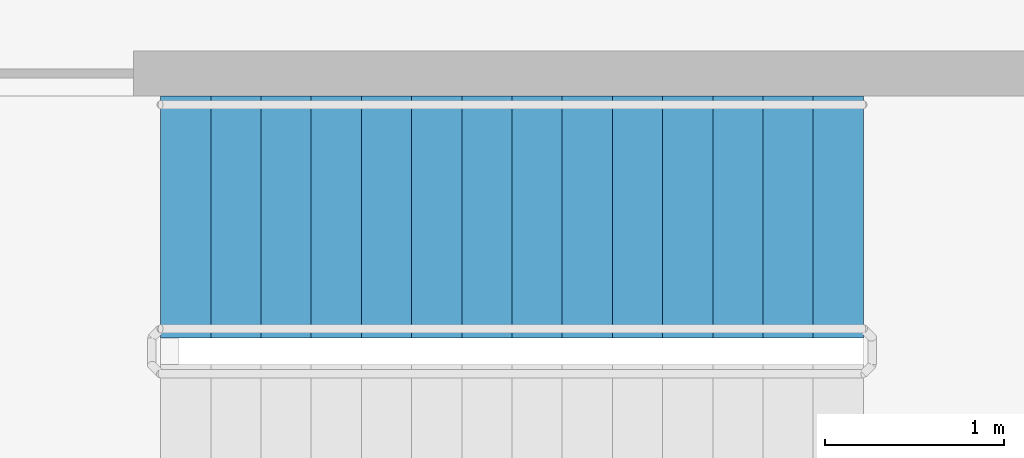
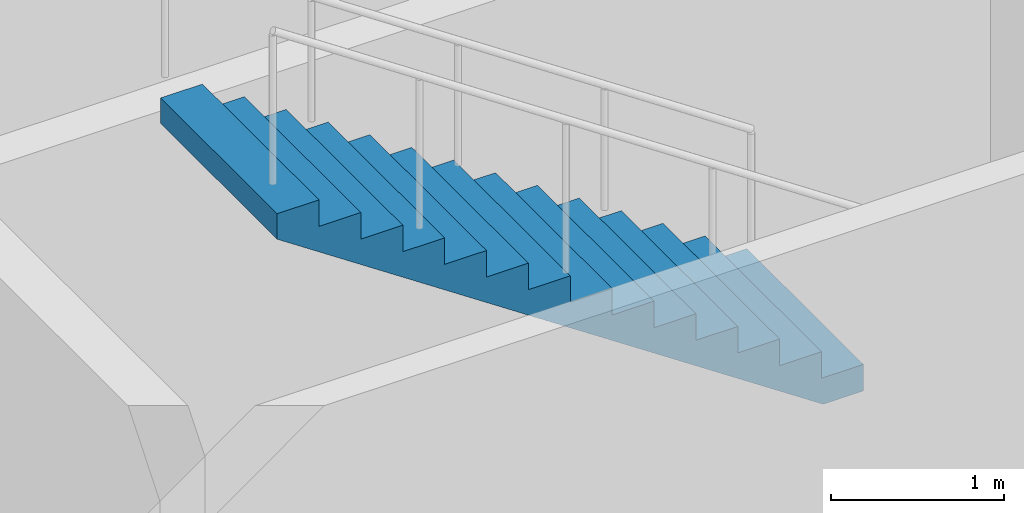
# One storey, part 9 of 19: 1 stair flight, 1 element without a shape of its own.
"""IFC4 building model written with IfcOpenShell, lengths in metres."""

import ifcopenshell
import ifcopenshell.guid

model = None  # the IFC model being written
_history = None  # IfcOwnerHistory: only IFC2X3 demands one
_inside = {}  # id of a spatial element -> (the spatial element, [elements in it])
_under = {}  # id of a project, library or spatial element -> (it, [spatial elements below it])
_declared = {}  # id of a project -> (the project, [libraries it declares])
_typed = {}  # id of a type object -> (the type object, [elements of that type])
_made_of = {}  # id of a material, layer set ... -> (it, [elements and type objects made of it])


def new_model(schema):
    """Start an empty IFC model of exactly this schema.

    Asked for "IFC4X3", IfcOpenShell would pick the latest addendum, in which some entities
    have other attributes; the version numbers below select the first issue.
    IFC2X3 requires an IfcOwnerHistory on every rooted entity: one is made here for all.
    """
    global model, _history
    if schema == "IFC4X3":
        model = ifcopenshell.file(schema_version=(4, 3, 0, 0))
    else:
        model = ifcopenshell.file(schema=schema)
    _inside.clear()
    _under.clear()
    _declared.clear()
    _typed.clear()
    _made_of.clear()
    _history = None
    if model.schema == "IFC2X3":
        org = make("IfcOrganization", Name="unknown")
        user = make(
            "IfcPersonAndOrganization",
            ThePerson=make("IfcPerson", FamilyName="unknown"),
            TheOrganization=org,
        )
        app = make(
            "IfcApplication",
            ApplicationDeveloper=org,
            Version="unknown",
            ApplicationFullName="unknown",
            ApplicationIdentifier="unknown",
        )
        _history = make(
            "IfcOwnerHistory",
            OwningUser=user,
            OwningApplication=app,
            ChangeAction="ADDED",
            CreationDate=0,
        )
    return model


def make(cls, **values):
    """One entity of the class cls with the attributes given. An attribute that is None is left unset."""
    return model.create_entity(
        cls, **{name: value for name, value in values.items() if value is not None}
    )


def rooted(cls, **values):
    """An entity with a GlobalId (a new one), such as an element, a storey or a relation."""
    return make(cls, GlobalId=ifcopenshell.guid.new(), OwnerHistory=_history, **values)


def si_unit(unit_type, name, prefix=None):
    """IfcSIUnit, for example si_unit("LENGTHUNIT", "METRE", prefix="MILLI")."""
    return make("IfcSIUnit", UnitType=unit_type, Prefix=prefix, Name=name)


def assignment(units):
    """IfcUnitAssignment: the units of a project."""
    return None if units is None else make("IfcUnitAssignment", Units=units)


def point(xyz):
    """IfcCartesianPoint."""
    return None if xyz is None else make("IfcCartesianPoint", Coordinates=xyz)


def direction(xyz):
    """IfcDirection."""
    return None if xyz is None else make("IfcDirection", DirectionRatios=xyz)


def frame(location, z_axis=None, x_axis=None):
    """IfcAxis2Placement3D, a coordinate frame: its origin and axes. An axis left out is left unset."""
    return make(
        "IfcAxis2Placement3D",
        Location=point(location),
        Axis=direction(z_axis),
        RefDirection=direction(x_axis),
    )


def origin():
    """The frame at (0, 0, 0) with its axes left unset."""
    return frame((0.0, 0.0, 0.0))


def place(relative_to, where):
    """IfcLocalPlacement: puts the frame where relative to a parent placement (None: the world)."""
    return make(
        "IfcLocalPlacement", PlacementRelTo=relative_to, RelativePlacement=where
    )


def context(
    kind, dimensions, precision=None, world=None, true_north=None, identifier=None
):
    """IfcGeometricRepresentationContext, for example the 3D "Model" context."""
    return make(
        "IfcGeometricRepresentationContext",
        ContextIdentifier=identifier,
        ContextType=kind,
        CoordinateSpaceDimension=dimensions,
        Precision=precision,
        WorldCoordinateSystem=world,
        TrueNorth=true_north,
    )


def subcontext(parent, identifier, kind, view, scale=None):
    """IfcGeometricRepresentationSubContext, for example "Body" below "Model"."""
    return make(
        "IfcGeometricRepresentationSubContext",
        ContextIdentifier=identifier,
        ContextType=kind,
        ParentContext=parent,
        TargetScale=scale,
        TargetView=view,
    )


def project(units=None, contexts=None):
    """IfcProject with its units and contexts."""
    return rooted(
        "IfcProject",
        Name="project",
        RepresentationContexts=contexts,
        UnitsInContext=assignment(units),
    )


def spatial(cls, under=None, at=None, **own):
    """A site, building, storey or space (cls), placed at a placement, below another one or the project."""
    s = rooted(cls, ObjectPlacement=at, **own)
    if under is not None:
        _under.setdefault(under.id(), (under, []))[1].append(s)
    return s


def polyline(points):
    """IfcPolyline through the points."""
    return make("IfcPolyline", Points=[point(p) for p in points])


def outline(outer, holes=None, kind="AREA"):
    """IfcArbitraryClosedProfileDef: a profile drawn as a closed curve; with holes, ...WithVoids."""
    if holes is None:
        return make("IfcArbitraryClosedProfileDef", ProfileType=kind, OuterCurve=outer)
    return make(
        "IfcArbitraryProfileDefWithVoids",
        ProfileType=kind,
        OuterCurve=outer,
        InnerCurves=holes,
    )


def extrude(swept, where, along, depth):
    """IfcExtrudedAreaSolid: the profile swept, set in the frame where, extruded along a direction by depth."""
    return make(
        "IfcExtrudedAreaSolid",
        SweptArea=swept,
        Position=where,
        ExtrudedDirection=direction(along),
        Depth=depth,
    )


def shape(context_of_items, identifier, shape_type, items):
    """IfcShapeRepresentation: the items that make up one representation, for example the "Body"."""
    return make(
        "IfcShapeRepresentation",
        ContextOfItems=context_of_items,
        RepresentationIdentifier=identifier,
        RepresentationType=shape_type,
        Items=items,
    )


def material(Name=None, Category=None):
    """IfcMaterial."""
    return make("IfcMaterial", Name=Name, Category=Category)


def made_of(thing, what):
    """Note that an element or type object is made of a material, layer set ...; save() writes the relation."""
    if what is not None:
        _made_of.setdefault(what.id(), (what, []))[1].append(thing)
    return thing


def type_object(cls, material=None, **own):
    """A type object (cls), such as IfcWallType, which elements share."""
    return made_of(rooted(cls, **own), material)


def element(
    cls,
    number,
    at=None,
    inside=None,
    cuts=None,
    type_object=None,
    material=None,
    context=None,
    identifier="Body",
    shape_type=None,
    held_by="IfcProductDefinitionShape",
    body=None,
    shapes=None,
    **own,
):
    """One element of the class cls, such as IfcWall. Its Tag is "e" and its number.

    at: its placement. inside: the storey or other place that contains it. cuts: it is an
    opening in that element (IfcRelVoidsElement). A single representation is given by context,
    identifier, shape_type and body (its items); several are given by shapes. held_by: the class
    of the entity that holds the representations. save() writes the other relations.
    """
    e = rooted(cls, Tag="e%d" % number, ObjectPlacement=at, **own)
    if body is not None:
        shapes = [shape(context, identifier, shape_type, body)]
    if shapes is not None:
        e.Representation = make(held_by, Representations=shapes)
    if inside is not None:
        _inside.setdefault(inside.id(), (inside, []))[1].append(e)
    if cuts is not None:
        rooted(
            "IfcRelVoidsElement", RelatingBuildingElement=cuts, RelatedOpeningElement=e
        )
    if type_object is not None:
        _typed.setdefault(type_object.id(), (type_object, []))[1].append(e)
    return made_of(e, material)


def aggregate(whole, parts):
    """IfcRelAggregates: a whole, such as a stair, and the parts it consists of."""
    return rooted("IfcRelAggregates", RelatingObject=whole, RelatedObjects=parts)


def save(model, path):
    """Write the relations noted so far, then the file.

    IfcRelAggregates (storeys below a building ...), IfcRelContainedInSpatialStructure (elements
    in a storey), IfcRelDefinesByType, IfcRelAssociatesMaterial and IfcRelDeclares: one each for
    every whole, place, type object, material and project.
    """
    for whole, parts in _under.values():
        aggregate(whole, parts)
    for where, things in _inside.values():
        rooted(
            "IfcRelContainedInSpatialStructure",
            RelatedElements=things,
            RelatingStructure=where,
        )
    for kind, things in _typed.values():
        rooted("IfcRelDefinesByType", RelatedObjects=things, RelatingType=kind)
    for what, things in _made_of.values():
        rooted("IfcRelAssociatesMaterial", RelatedObjects=things, RelatingMaterial=what)
    for by, libraries in _declared.values():
        rooted("IfcRelDeclares", RelatingContext=by, RelatedDefinitions=libraries)
    model.write(path)


model = new_model("IFC4")

# Units and contexts
model_context = context("Model", 3, precision=1e-05, world=origin(), true_north=direction((0.0, 1.0)))
body_context = subcontext(model_context, "Body", "Model", "MODEL_VIEW")
ifc_project = project(units=[si_unit("LENGTHUNIT", "METRE"), si_unit("AREAUNIT", "SQUARE_METRE"), si_unit("VOLUMEUNIT", "CUBIC_METRE"), si_unit("PLANEANGLEUNIT", "RADIAN"), si_unit("MASSUNIT", "GRAM", prefix="KILO")], contexts=[model_context])

# Site, building, storey
site_placement = place(None, origin())
site = spatial("IfcSite", under=ifc_project, at=site_placement, CompositionType="ELEMENT")
building_placement = place(site_placement, origin())
building = spatial("IfcBuilding", under=site, at=building_placement, Name="Saffron Gate Tower", CompositionType="ELEMENT")
storey_placement = place(building_placement, frame((0.0, 0.0, 194.25)))
storey = spatial("IfcBuildingStorey", under=building, at=storey_placement, Name="L48", CompositionType="ELEMENT", Elevation=194.25)

# Stair, stair flight
ifc_material = material(Name="Concrete C40", Category="concrete")
stair_type = type_object("IfcStairType", Name="ST8 Stair 1350 wide, 60 risers of 188", PredefinedType="HALF_TURN_STAIR", material=ifc_material)
stair_placement = place(storey_placement, origin())
stair = element("IfcStair", 1, at=stair_placement, inside=storey, type_object=stair_type, Name="L48 Exit stair B", PredefinedType="HALF_TURN_STAIR")
stair_flight_type = type_object("IfcStairFlightType", Name="SF2 Stair flight 1350 wide, riser 188 going 280", PredefinedType="STRAIGHT", material=ifc_material)
stair_flight_placement = place(storey_placement, frame((105.77001953125, 67.375, 8.4375), z_axis=(0.0, 0.0, 1.0), x_axis=(-1.0, 0.0, 0.0)))
stair_flight = element("IfcStairFlight", 2, at=stair_flight_placement, type_object=stair_flight_type, Name="ST-B flight 4", NumberOfRisers=15, NumberOfTreads=14, PredefinedType="STRAIGHT", RiserHeight=0.1875, TreadLength=0.28, context=body_context, shape_type="SweptSolid", body=[
    extrude(outline(polyline([(0.0, 0.0), (0.0, 0.1875), (0.280029296875, 0.1875), (0.280029296875, 0.375), (0.56005859375, 0.375), (0.56005859375, 0.5625), (0.840087890625, 0.5625), (0.840087890625, 0.75), (1.1201171875, 0.75), (1.1201171875, 0.9375), (1.39990234375, 0.9375), (1.39990234375, 1.125), (1.679931640625, 1.125), (1.679931640625, 1.3125), (1.9599609375, 1.3125), (1.9599609375, 1.5), (2.239990234375, 1.5), (2.239990234375, 1.6875), (2.52001953125, 1.6875), (2.52001953125, 1.875), (2.800048828125, 1.875), (2.800048828125, 2.0625), (3.080078125, 2.0625), (3.080078125, 2.25), (3.360107421875, 2.25), (3.360107421875, 2.4375), (3.639892578125, 2.4375), (3.639892578125, 2.625), (3.919921875, 2.625), (3.919921875, 2.8125), (3.919921875, 2.444580078125), (0.26953125, 0.0), (0.0, 0.0)])), frame((0.0, 0.675048828125, 0.0), z_axis=(0.0, -1.0, 0.0), x_axis=(1.0, 0.0, 0.0)), (0.0, 0.0, 1.0), 1.35009765625),
])
aggregate(stair, [stair_flight])

save(model, "model.ifc")
